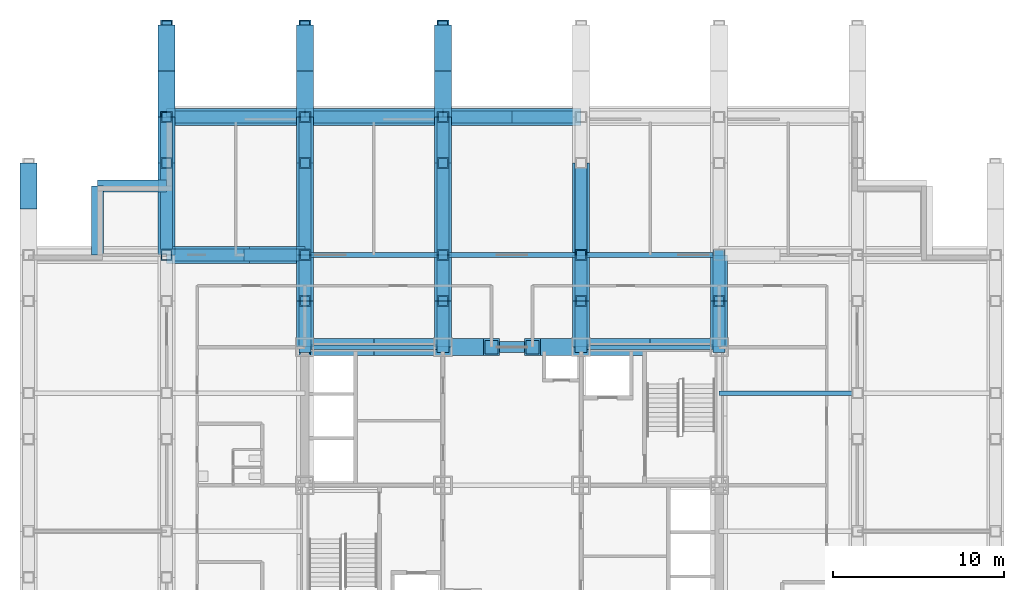
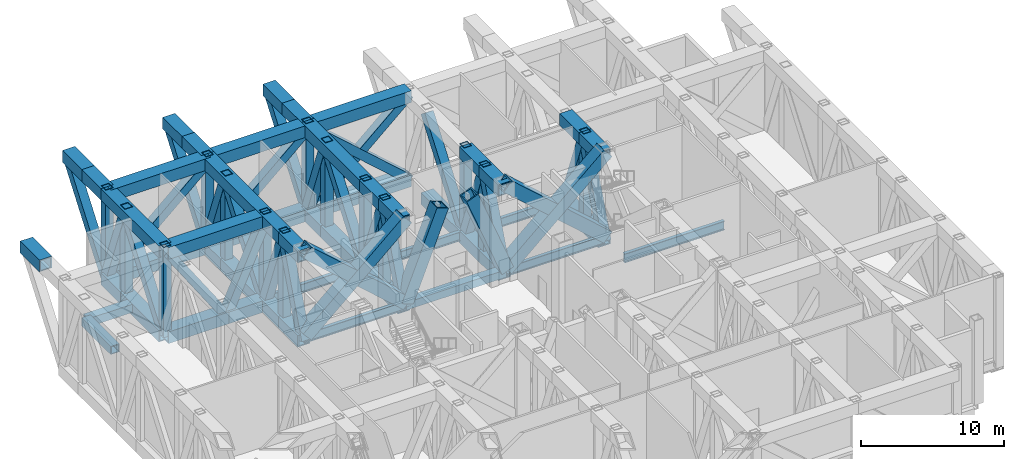
# One storey, part 5 of 13: 86 members, 9 beams.
"""IFC4 building model written with IfcOpenShell, lengths in metres."""

from ifc_helpers import new_model, si_unit, direction, frame, origin, origin_2d, place, context, subcontext, project, spatial, hollow_rectangle, i_section, extrude, material, material_profile, profile_set, type_object, element, save


model = new_model("IFC4")

# Units and contexts
model_context = context("Model", 3, precision=1e-05, world=origin(), true_north=direction((0.0, 1.0)))
body_context = subcontext(model_context, "Body", "Model", "MODEL_VIEW")
ifc_project = project(units=[si_unit("LENGTHUNIT", "METRE"), si_unit("AREAUNIT", "SQUARE_METRE"), si_unit("VOLUMEUNIT", "CUBIC_METRE"), si_unit("PLANEANGLEUNIT", "RADIAN"), si_unit("MASSUNIT", "GRAM", prefix="KILO")], contexts=[model_context])

# Site, building, storey
site_placement = place(None, origin())
site = spatial("IfcSite", under=ifc_project, at=site_placement, CompositionType="ELEMENT")
building_placement = place(site_placement, origin())
building = spatial("IfcBuilding", under=site, at=building_placement, Name="Kopane Lantern Tower", CompositionType="ELEMENT")
storey_placement = place(building_placement, frame((0.0, 0.0, 157.800048828125)))
storey = spatial("IfcBuildingStorey", under=building, at=storey_placement, Name="L41", CompositionType="ELEMENT", Elevation=157.800048828125)

# Members
ifc_material_1 = material(Name="Steel S355JR", Category="steel")
ifc_material_profile_1 = material_profile(ifc_material_1, hollow_rectangle(XDim=1.0, YDim=1.0, WallThickness=0.10009765625, at=origin_2d()), Name="BOX 1000x1000x100")
ifc_profile_set_1 = profile_set([ifc_material_profile_1], Name="Steel S355JR")
member_type_1 = type_object("IfcMemberType", Name="BRACE BOX 1000x1000x100", PredefinedType="BRACE", material=ifc_profile_set_1)
for number, where, z_axis, x_axis, name in (
    (1, (16.199951171875, 40.5, -0.25), (0.747415533118, 0.0, 0.664356847525), (0.0, 1.0, 0.0), "Core brace L41"),
    (2, (24.300048828125, 40.5, -0.25), (-0.747415533118, 0.0, 0.664356847525), (0.0, -1.0, 0.0), "Core brace L41"),
):
    element("IfcMember", number, at=place(storey_placement, frame(where, z_axis=z_axis, x_axis=x_axis)), inside=storey, type_object=member_type_1, Name=name, PredefinedType="BRACE", context=body_context, shape_type="SweptSolid", body=[
        extrude(hollow_rectangle(XDim=1.0, YDim=1.0, WallThickness=0.10009765625, at=origin_2d()), origin(), (0.0, 0.0, 1.0), 10.83740234375),
    ])
for number, where, z_axis, x_axis, name in (
    (3, (24.300048828125, 40.5, -0.25), (0.368034254187, 0.0, 0.929812232521), (0.0, 1.0, 0.0), "Core brace L41"),
    (4, (32.39990234375, 40.5, -0.25), (-0.368034254187, 0.0, 0.929812232521), (0.0, -1.0, 0.0), "Core brace L41"),
):
    element("IfcMember", number, at=place(storey_placement, frame(where, z_axis=z_axis, x_axis=x_axis)), inside=storey, type_object=member_type_1, Name=name, PredefinedType="BRACE", context=body_context, shape_type="SweptSolid", body=[
        extrude(hollow_rectangle(XDim=1.0, YDim=1.0, WallThickness=0.10009765625, at=origin_2d()), origin(), (0.0, 0.0, 1.0), 7.743408203125),
    ])
for number, where, z_axis, x_axis, name in (
    (5, (32.39990234375, 40.5, -0.25), (0.747415533118, 0.0, 0.664356847525), (0.0, 1.0, 0.0), "Core brace L41"),
    (6, (40.5, 40.5, -0.25), (-0.747415533118, 0.0, 0.664356847525), (0.0, -1.0, 0.0), "Core brace L41"),
):
    element("IfcMember", number, at=place(storey_placement, frame(where, z_axis=z_axis, x_axis=x_axis)), inside=storey, type_object=member_type_1, Name=name, PredefinedType="BRACE", context=body_context, shape_type="SweptSolid", body=[
        extrude(hollow_rectangle(XDim=1.0, YDim=1.0, WallThickness=0.10009765625, at=origin_2d()), origin(), (0.0, 0.0, 1.0), 10.83740234375),
    ])

# Beams
ifc_material_2 = material(Name="Steel S355JR", Category="steel")
ifc_material_profile_2 = material_profile(ifc_material_2, hollow_rectangle(XDim=0.699951171875, YDim=0.699951171875, WallThickness=0.06005859375, at=origin_2d()), Name="BOX 700x700x60")
ifc_profile_set_2 = profile_set([ifc_material_profile_2], Name="Steel S355JR")
beam_type_1 = type_object("IfcBeamType", Name="EDGE BEAM BOX 700x700x60", PredefinedType="BEAM", material=ifc_profile_set_2)
for number, where, z_axis, x_axis, name in (
    (7, (4.050048828125, 49.949951171875, -0.60009765625), (0.0, -1.0, 0.0), (1.0, 0.0, 0.0), "Edge Beam L41"),
    (8, (4.050048828125, 49.949951171875, -0.60009765625), (1.0, 0.0, 0.0), (0.0, 1.0, 0.0), "Edge Beam L41"),
):
    element("IfcBeam", number, at=place(storey_placement, frame(where, z_axis=z_axis, x_axis=x_axis)), inside=storey, type_object=beam_type_1, Name=name, PredefinedType="BEAM", context=body_context, shape_type="SweptSolid", body=[
        extrude(hollow_rectangle(XDim=0.699951171875, YDim=0.699951171875, WallThickness=0.06005859375, at=origin_2d()), origin(), (0.0, 0.0, 1.0), 4.050048828125),
    ])
ifc_material_3 = material(Name="Steel S355JR", Category="steel")
ifc_material_profile_3 = material_profile(ifc_material_3, i_section(OverallWidth=0.26806640625, OverallDepth=0.769775390625, WebThickness=0.015625, FlangeThickness=0.025390625, FilletRadius=0.0166015625, at=origin_2d()), Name="UB 762x267x197")
ifc_profile_set_3 = profile_set([ifc_material_profile_3], Name="Steel S355JR")
beam_type_2 = type_object("IfcBeamType", Name="GIRDER UB 762x267x197", PredefinedType="BEAM", material=ifc_profile_set_3)
for number, where, z_axis, x_axis, name in (
    (9, (16.199951171875, 40.5, -0.635009765625), (1.0, 0.0, 0.0), (0.0, 1.0, 0.0), "Girder L41"),
    (10, (16.199951171875, 45.89990234375, -0.635009765625), (1.0, 0.0, 0.0), (0.0, 1.0, 0.0), "Girder L41"),
):
    element("IfcBeam", number, at=place(storey_placement, frame(where, z_axis=z_axis, x_axis=x_axis)), inside=storey, type_object=beam_type_2, Name=name, PredefinedType="BEAM", context=body_context, shape_type="SweptSolid", body=[
        extrude(i_section(OverallWidth=0.26806640625, OverallDepth=0.769775390625, WebThickness=0.015625, FlangeThickness=0.025390625, FilletRadius=0.0166015625, at=origin_2d()), origin(), (0.0, 0.0, 1.0), 8.10009765625),
    ])
beam_1_placement = place(storey_placement, frame((24.300048828125, 45.89990234375, -0.635009765625), z_axis=(1.0, 0.0, 0.0), x_axis=(0.0, 1.0, 0.0)))
element("IfcBeam", 11, at=beam_1_placement, inside=storey, type_object=beam_type_2, Name="Girder L41", PredefinedType="BEAM", context=body_context, shape_type="SweptSolid", body=[
    extrude(i_section(OverallWidth=0.26806640625, OverallDepth=0.769775390625, WebThickness=0.015625, FlangeThickness=0.025390625, FilletRadius=0.0166015625, at=origin_2d()), origin(), (0.0, 0.0, 1.0), 8.099853515625),
])
for number, where, z_axis, x_axis, name in (
    (12, (32.39990234375, 40.5, -0.635009765625), (1.0, 0.0, 0.0), (0.0, 1.0, 0.0), "Girder L41"),
    (13, (32.39990234375, 45.89990234375, -0.635009765625), (1.0, 0.0, 0.0), (0.0, 1.0, 0.0), "Girder L41"),
    (14, (40.5, 37.800048828125, -0.635009765625), (1.0, 0.0, 0.0), (0.0, 1.0, 0.0), "Girder L41"),
):
    element("IfcBeam", number, at=place(storey_placement, frame(where, z_axis=z_axis, x_axis=x_axis)), inside=storey, type_object=beam_type_2, Name=name, PredefinedType="BEAM", context=body_context, shape_type="SweptSolid", body=[
        extrude(i_section(OverallWidth=0.26806640625, OverallDepth=0.769775390625, WebThickness=0.015625, FlangeThickness=0.025390625, FilletRadius=0.0166015625, at=origin_2d()), origin(), (0.0, 0.0, 1.0), 8.10009765625),
    ])
ifc_material_4 = material(Name="Steel S355JR", Category="steel")
ifc_material_profile_4 = material_profile(ifc_material_4, hollow_rectangle(XDim=0.64990234375, YDim=0.64990234375, WallThickness=0.070068359375, at=origin_2d()), Name="BOX 650x650x70")
ifc_profile_set_4 = profile_set([ifc_material_profile_4], Name="Steel S355JR")
beam_type_3 = type_object("IfcBeamType", Name="LINK BEAM BOX 650x650x70", PredefinedType="BEAM", material=ifc_profile_set_4)
beam_2_placement = place(storey_placement, frame((24.300048828125, 40.5, -0.574951171875), z_axis=(1.0, 0.0, 0.0), x_axis=(0.0, 1.0, 0.0)))
element("IfcBeam", 15, at=beam_2_placement, inside=storey, type_object=beam_type_3, Name="Link Beam L41", PredefinedType="BEAM", context=body_context, shape_type="SweptSolid", body=[
    extrude(hollow_rectangle(XDim=0.64990234375, YDim=0.64990234375, WallThickness=0.070068359375, at=origin_2d()), origin(), (0.0, 0.0, 1.0), 8.099853515625),
])

# Members
ifc_material_5 = material(Name="Steel S355JR", Category="steel")
ifc_material_profile_5 = material_profile(ifc_material_5, hollow_rectangle(XDim=1.0, YDim=1.0, WallThickness=0.090087890625, at=origin_2d()), Name="BOX 1000x1000x90")
ifc_profile_set_5 = profile_set([ifc_material_profile_5], Name="Steel S355JR")
member_type_2 = type_object("IfcMemberType", Name="TRUSS CHORD BOX 1000x1000x90", PredefinedType="CHORD", material=ifc_profile_set_5)
member_1_placement = place(storey_placement, frame((0.0, 48.60009765625, 6.449951171875), z_axis=(0.0, 1.0, 0.0), x_axis=(-1.0, 0.0, 0.0)))
element("IfcMember", 16, at=member_1_placement, inside=storey, type_object=member_type_2, Name="Transfer truss 2 L41 truss chord", PredefinedType="CHORD", context=body_context, shape_type="SweptSolid", body=[
    extrude(hollow_rectangle(XDim=1.0, YDim=1.0, WallThickness=0.090087890625, at=origin_2d()), origin(), (0.0, 0.0, 1.0), 2.699951171875),
])
member_2_placement = place(storey_placement, frame((8.10009765625, 45.89990234375, -0.75), z_axis=(0.0, 1.0, 0.0), x_axis=(-1.0, 0.0, 0.0)))
element("IfcMember", 17, at=member_2_placement, inside=storey, type_object=member_type_2, Name="Transfer truss 3 L41 truss chord", PredefinedType="CHORD", context=body_context, shape_type="SweptSolid", body=[
    extrude(hollow_rectangle(XDim=1.0, YDim=1.0, WallThickness=0.090087890625, at=origin_2d()), origin(), (0.0, 0.0, 1.0), 5.400146484375),
])
member_3_placement = place(storey_placement, frame((8.10009765625, 51.300048828125, -0.75), z_axis=(0.0, 1.0, 0.0), x_axis=(-1.0, 0.0, 0.0)))
element("IfcMember", 18, at=member_3_placement, inside=storey, type_object=member_type_2, Name="Transfer truss 3 L41 truss chord", PredefinedType="CHORD", context=body_context, shape_type="SweptSolid", body=[
    extrude(hollow_rectangle(XDim=1.0, YDim=1.0, WallThickness=0.090087890625, at=origin_2d()), origin(), (0.0, 0.0, 1.0), 2.699951171875),
])
member_4_placement = place(storey_placement, frame((8.10009765625, 45.89990234375, 6.449951171875), z_axis=(0.0, 1.0, 0.0), x_axis=(-1.0, 0.0, 0.0)))
element("IfcMember", 19, at=member_4_placement, inside=storey, type_object=member_type_2, Name="Transfer truss 3 L41 truss chord", PredefinedType="CHORD", context=body_context, shape_type="SweptSolid", body=[
    extrude(hollow_rectangle(XDim=1.0, YDim=1.0, WallThickness=0.090087890625, at=origin_2d()), origin(), (0.0, 0.0, 1.0), 8.10009765625),
])
for number, where, z_axis, x_axis, name in (
    (20, (8.10009765625, 54.0, 6.449951171875), (0.0, 1.0, 0.0), (-1.0, 0.0, 0.0), "Transfer truss 3 L41 truss chord"),
    (21, (8.10009765625, 56.699951171875, 6.449951171875), (0.0, 1.0, 0.0), (-1.0, 0.0, 0.0), "Transfer truss 3 L41 truss chord"),
    (22, (16.199951171875, 40.5, -0.75), (0.0, 1.0, 0.0), (-1.0, 0.0, 0.0), "Transfer truss 4 L41 truss chord"),
    (23, (16.199951171875, 43.199951171875, -0.75), (0.0, 1.0, 0.0), (-1.0, 0.0, 0.0), "Transfer truss 4 L41 truss chord"),
):
    element("IfcMember", number, at=place(storey_placement, frame(where, z_axis=z_axis, x_axis=x_axis)), inside=storey, type_object=member_type_2, Name=name, PredefinedType="CHORD", context=body_context, shape_type="SweptSolid", body=[
        extrude(hollow_rectangle(XDim=1.0, YDim=1.0, WallThickness=0.090087890625, at=origin_2d()), origin(), (0.0, 0.0, 1.0), 2.699951171875),
    ])
member_5_placement = place(storey_placement, frame((16.199951171875, 45.89990234375, -0.75), z_axis=(0.0, 1.0, 0.0), x_axis=(-1.0, 0.0, 0.0)))
element("IfcMember", 24, at=member_5_placement, inside=storey, type_object=member_type_2, Name="Transfer truss 4 L41 truss chord", PredefinedType="CHORD", context=body_context, shape_type="SweptSolid", body=[
    extrude(hollow_rectangle(XDim=1.0, YDim=1.0, WallThickness=0.090087890625, at=origin_2d()), origin(), (0.0, 0.0, 1.0), 5.400146484375),
])
for number, where, z_axis, x_axis, name in (
    (25, (16.199951171875, 51.300048828125, -0.75), (0.0, 1.0, 0.0), (-1.0, 0.0, 0.0), "Transfer truss 4 L41 truss chord"),
    (26, (16.199951171875, 40.5, 6.449951171875), (0.0, 1.0, 0.0), (-1.0, 0.0, 0.0), "Transfer truss 4 L41 truss chord"),
    (27, (16.199951171875, 43.199951171875, 6.449951171875), (0.0, 1.0, 0.0), (-1.0, 0.0, 0.0), "Transfer truss 4 L41 truss chord"),
):
    element("IfcMember", number, at=place(storey_placement, frame(where, z_axis=z_axis, x_axis=x_axis)), inside=storey, type_object=member_type_2, Name=name, PredefinedType="CHORD", context=body_context, shape_type="SweptSolid", body=[
        extrude(hollow_rectangle(XDim=1.0, YDim=1.0, WallThickness=0.090087890625, at=origin_2d()), origin(), (0.0, 0.0, 1.0), 2.699951171875),
    ])
member_6_placement = place(storey_placement, frame((16.199951171875, 45.89990234375, 6.449951171875), z_axis=(0.0, 1.0, 0.0), x_axis=(-1.0, 0.0, 0.0)))
element("IfcMember", 28, at=member_6_placement, inside=storey, type_object=member_type_2, Name="Transfer truss 4 L41 truss chord", PredefinedType="CHORD", context=body_context, shape_type="SweptSolid", body=[
    extrude(hollow_rectangle(XDim=1.0, YDim=1.0, WallThickness=0.090087890625, at=origin_2d()), origin(), (0.0, 0.0, 1.0), 8.10009765625),
])
for number, where, z_axis, x_axis, name in (
    (29, (16.199951171875, 54.0, 6.449951171875), (0.0, 1.0, 0.0), (-1.0, 0.0, 0.0), "Transfer truss 4 L41 truss chord"),
    (30, (16.199951171875, 56.699951171875, 6.449951171875), (0.0, 1.0, 0.0), (-1.0, 0.0, 0.0), "Transfer truss 4 L41 truss chord"),
    (31, (24.300048828125, 40.5, -0.75), (0.0, 1.0, 0.0), (-1.0, 0.0, 0.0), "Transfer truss 5 L41 truss chord"),
    (32, (24.300048828125, 43.199951171875, -0.75), (0.0, 1.0, 0.0), (-1.0, 0.0, 0.0), "Transfer truss 5 L41 truss chord"),
):
    element("IfcMember", number, at=place(storey_placement, frame(where, z_axis=z_axis, x_axis=x_axis)), inside=storey, type_object=member_type_2, Name=name, PredefinedType="CHORD", context=body_context, shape_type="SweptSolid", body=[
        extrude(hollow_rectangle(XDim=1.0, YDim=1.0, WallThickness=0.090087890625, at=origin_2d()), origin(), (0.0, 0.0, 1.0), 2.699951171875),
    ])
member_7_placement = place(storey_placement, frame((24.300048828125, 45.89990234375, -0.75), z_axis=(0.0, 1.0, 0.0), x_axis=(-1.0, 0.0, 0.0)))
element("IfcMember", 33, at=member_7_placement, inside=storey, type_object=member_type_2, Name="Transfer truss 5 L41 truss chord", PredefinedType="CHORD", context=body_context, shape_type="SweptSolid", body=[
    extrude(hollow_rectangle(XDim=1.0, YDim=1.0, WallThickness=0.090087890625, at=origin_2d()), origin(), (0.0, 0.0, 1.0), 5.400146484375),
])
for number, where, z_axis, x_axis, name in (
    (34, (24.300048828125, 51.300048828125, -0.75), (0.0, 1.0, 0.0), (-1.0, 0.0, 0.0), "Transfer truss 5 L41 truss chord"),
    (35, (24.300048828125, 40.5, 6.449951171875), (0.0, 1.0, 0.0), (-1.0, 0.0, 0.0), "Transfer truss 5 L41 truss chord"),
    (36, (24.300048828125, 43.199951171875, 6.449951171875), (0.0, 1.0, 0.0), (-1.0, 0.0, 0.0), "Transfer truss 5 L41 truss chord"),
):
    element("IfcMember", number, at=place(storey_placement, frame(where, z_axis=z_axis, x_axis=x_axis)), inside=storey, type_object=member_type_2, Name=name, PredefinedType="CHORD", context=body_context, shape_type="SweptSolid", body=[
        extrude(hollow_rectangle(XDim=1.0, YDim=1.0, WallThickness=0.090087890625, at=origin_2d()), origin(), (0.0, 0.0, 1.0), 2.699951171875),
    ])
member_8_placement = place(storey_placement, frame((24.300048828125, 45.89990234375, 6.449951171875), z_axis=(0.0, 1.0, 0.0), x_axis=(-1.0, 0.0, 0.0)))
element("IfcMember", 37, at=member_8_placement, inside=storey, type_object=member_type_2, Name="Transfer truss 5 L41 truss chord", PredefinedType="CHORD", context=body_context, shape_type="SweptSolid", body=[
    extrude(hollow_rectangle(XDim=1.0, YDim=1.0, WallThickness=0.090087890625, at=origin_2d()), origin(), (0.0, 0.0, 1.0), 8.10009765625),
])
for number, where, z_axis, x_axis, name in (
    (38, (24.300048828125, 54.0, 6.449951171875), (0.0, 1.0, 0.0), (-1.0, 0.0, 0.0), "Transfer truss 5 L41 truss chord"),
    (39, (24.300048828125, 56.699951171875, 6.449951171875), (0.0, 1.0, 0.0), (-1.0, 0.0, 0.0), "Transfer truss 5 L41 truss chord"),
    (40, (32.39990234375, 40.5, -0.75), (0.0, 1.0, 0.0), (-1.0, 0.0, 0.0), "Transfer truss 6 L41 truss chord"),
    (41, (32.39990234375, 43.199951171875, -0.75), (0.0, 1.0, 0.0), (-1.0, 0.0, 0.0), "Transfer truss 6 L41 truss chord"),
):
    element("IfcMember", number, at=place(storey_placement, frame(where, z_axis=z_axis, x_axis=x_axis)), inside=storey, type_object=member_type_2, Name=name, PredefinedType="CHORD", context=body_context, shape_type="SweptSolid", body=[
        extrude(hollow_rectangle(XDim=1.0, YDim=1.0, WallThickness=0.090087890625, at=origin_2d()), origin(), (0.0, 0.0, 1.0), 2.699951171875),
    ])
member_9_placement = place(storey_placement, frame((32.39990234375, 45.89990234375, -0.75), z_axis=(0.0, 1.0, 0.0), x_axis=(-1.0, 0.0, 0.0)))
element("IfcMember", 42, at=member_9_placement, inside=storey, type_object=member_type_2, Name="Transfer truss 6 L41 truss chord", PredefinedType="CHORD", context=body_context, shape_type="SweptSolid", body=[
    extrude(hollow_rectangle(XDim=1.0, YDim=1.0, WallThickness=0.090087890625, at=origin_2d()), origin(), (0.0, 0.0, 1.0), 5.400146484375),
])
for number, where, z_axis, x_axis, name in (
    (43, (32.39990234375, 40.5, 6.449951171875), (0.0, 1.0, 0.0), (-1.0, 0.0, 0.0), "Transfer truss 6 L41 truss chord"),
    (44, (32.39990234375, 43.199951171875, 6.449951171875), (0.0, 1.0, 0.0), (-1.0, 0.0, 0.0), "Transfer truss 6 L41 truss chord"),
    (45, (40.5, 40.5, -0.75), (0.0, 1.0, 0.0), (-1.0, 0.0, 0.0), "Transfer truss 7 L41 truss chord"),
    (46, (40.5, 43.199951171875, -0.75), (0.0, 1.0, 0.0), (-1.0, 0.0, 0.0), "Transfer truss 7 L41 truss chord"),
    (47, (40.5, 40.5, 6.449951171875), (0.0, 1.0, 0.0), (-1.0, 0.0, 0.0), "Transfer truss 7 L41 truss chord"),
    (48, (40.5, 43.199951171875, 6.449951171875), (0.0, 1.0, 0.0), (-1.0, 0.0, 0.0), "Transfer truss 7 L41 truss chord"),
):
    element("IfcMember", number, at=place(storey_placement, frame(where, z_axis=z_axis, x_axis=x_axis)), inside=storey, type_object=member_type_2, Name=name, PredefinedType="CHORD", context=body_context, shape_type="SweptSolid", body=[
        extrude(hollow_rectangle(XDim=1.0, YDim=1.0, WallThickness=0.090087890625, at=origin_2d()), origin(), (0.0, 0.0, 1.0), 2.699951171875),
    ])
for number, where, z_axis, x_axis, name in (
    (49, (8.10009765625, 54.0, -0.75), (1.0, 0.0, 0.0), (0.0, 1.0, 0.0), "Belt truss N L41 truss chord"),
    (50, (8.10009765625, 54.0, 6.449951171875), (1.0, 0.0, 0.0), (0.0, 1.0, 0.0), "Belt truss N L41 truss chord"),
):
    element("IfcMember", number, at=place(storey_placement, frame(where, z_axis=z_axis, x_axis=x_axis)), inside=storey, type_object=member_type_2, Name=name, PredefinedType="CHORD", context=body_context, shape_type="SweptSolid", body=[
        extrude(hollow_rectangle(XDim=1.0, YDim=1.0, WallThickness=0.090087890625, at=origin_2d()), origin(), (0.0, 0.0, 1.0), 8.099853515625),
    ])
for number, where, z_axis, x_axis, name in (
    (51, (16.199951171875, 54.0, -0.75), (1.0, 0.0, 0.0), (0.0, 1.0, 0.0), "Belt truss N L41 truss chord"),
    (52, (16.199951171875, 54.0, 6.449951171875), (1.0, 0.0, 0.0), (0.0, 1.0, 0.0), "Belt truss N L41 truss chord"),
):
    element("IfcMember", number, at=place(storey_placement, frame(where, z_axis=z_axis, x_axis=x_axis)), inside=storey, type_object=member_type_2, Name=name, PredefinedType="CHORD", context=body_context, shape_type="SweptSolid", body=[
        extrude(hollow_rectangle(XDim=1.0, YDim=1.0, WallThickness=0.090087890625, at=origin_2d()), origin(), (0.0, 0.0, 1.0), 8.10009765625),
    ])
for number, where, z_axis, x_axis, name in (
    (53, (24.300048828125, 54.0, -0.75), (1.0, 0.0, 0.0), (0.0, 1.0, 0.0), "Belt truss N L41 truss chord"),
    (54, (24.300048828125, 54.0, 6.449951171875), (1.0, 0.0, 0.0), (0.0, 1.0, 0.0), "Belt truss N L41 truss chord"),
):
    element("IfcMember", number, at=place(storey_placement, frame(where, z_axis=z_axis, x_axis=x_axis)), inside=storey, type_object=member_type_2, Name=name, PredefinedType="CHORD", context=body_context, shape_type="SweptSolid", body=[
        extrude(hollow_rectangle(XDim=1.0, YDim=1.0, WallThickness=0.090087890625, at=origin_2d()), origin(), (0.0, 0.0, 1.0), 8.099853515625),
    ])
member_10_placement = place(storey_placement, frame((8.10009765625, 45.89990234375, -0.75), z_axis=(1.0, 0.0, 0.0), x_axis=(0.0, 1.0, 0.0)))
element("IfcMember", 55, at=member_10_placement, inside=storey, type_object=member_type_2, Name="Outrigger truss W45.9 L41 truss chord", PredefinedType="CHORD", context=body_context, shape_type="SweptSolid", body=[
    extrude(hollow_rectangle(XDim=1.0, YDim=1.0, WallThickness=0.090087890625, at=origin_2d()), origin(), (0.0, 0.0, 1.0), 4.85986328125),
])
member_11_placement = place(storey_placement, frame((12.9599609375, 45.89990234375, -0.75), z_axis=(1.0, 0.0, 0.0), x_axis=(0.0, 1.0, 0.0)))
element("IfcMember", 56, at=member_11_placement, inside=storey, type_object=member_type_2, Name="Outrigger truss W45.9 L41 truss chord", PredefinedType="CHORD", context=body_context, shape_type="SweptSolid", body=[
    extrude(hollow_rectangle(XDim=1.0, YDim=1.0, WallThickness=0.090087890625, at=origin_2d()), origin(), (0.0, 0.0, 1.0), 3.239990234375),
])
member_12_placement = place(storey_placement, frame((8.10009765625, 45.89990234375, 6.449951171875), z_axis=(1.0, 0.0, 0.0), x_axis=(0.0, 1.0, 0.0)))
element("IfcMember", 57, at=member_12_placement, inside=storey, type_object=member_type_2, Name="Outrigger truss W45.9 L41 truss chord", PredefinedType="CHORD", context=body_context, shape_type="SweptSolid", body=[
    extrude(hollow_rectangle(XDim=1.0, YDim=1.0, WallThickness=0.090087890625, at=origin_2d()), origin(), (0.0, 0.0, 1.0), 8.099853515625),
])
ifc_material_6 = material(Name="Steel S355JR", Category="steel")
ifc_material_profile_6 = material_profile(ifc_material_6, hollow_rectangle(XDim=0.699951171875, YDim=0.699951171875, WallThickness=0.070068359375, at=origin_2d()), Name="BOX 700x700x70")
ifc_profile_set_6 = profile_set([ifc_material_profile_6], Name="Steel S355JR")
member_type_3 = type_object("IfcMemberType", Name="TRUSS DIAGONAL BOX 700x700x70", PredefinedType="BRACE", material=ifc_profile_set_6)
member_13_placement = place(storey_placement, frame((8.10009765625, 45.89990234375, -0.75), z_axis=(0.0, 0.600013020683, 0.799990234322), x_axis=(-1.0, 0.0, 0.0)))
element("IfcMember", 58, at=member_13_placement, inside=storey, type_object=member_type_3, Name="Transfer truss 3 L41 truss diagonal", PredefinedType="BRACE", context=body_context, shape_type="SweptSolid", body=[
    extrude(hollow_rectangle(XDim=0.699951171875, YDim=0.699951171875, WallThickness=0.070068359375, at=origin_2d()), origin(), (0.0, 0.0, 1.0), 9.0),
])
member_14_placement = place(storey_placement, frame((8.10009765625, 54.0, -0.75), z_axis=(0.0, -0.351119962166, 0.936330482345), x_axis=(1.0, 0.0, 0.0)))
element("IfcMember", 59, at=member_14_placement, inside=storey, type_object=member_type_3, Name="Transfer truss 3 L41 truss diagonal", PredefinedType="BRACE", context=body_context, shape_type="SweptSolid", body=[
    extrude(hollow_rectangle(XDim=0.699951171875, YDim=0.699951171875, WallThickness=0.070068359375, at=origin_2d()), origin(), (0.0, 0.0, 1.0), 7.689453125),
])
member_15_placement = place(storey_placement, frame((8.10009765625, 54.0, -0.75), z_axis=(0.0, 0.599995659666, 0.800003255232), x_axis=(-1.0, 0.0, 0.0)))
element("IfcMember", 60, at=member_15_placement, inside=storey, type_object=member_type_3, Name="Transfer truss 3 L41 truss diagonal", PredefinedType="BRACE", context=body_context, shape_type="SweptSolid", body=[
    extrude(hollow_rectangle(XDim=0.699951171875, YDim=0.699951171875, WallThickness=0.070068359375, at=origin_2d()), origin(), (0.0, 0.0, 1.0), 9.0),
])
for number, where, z_axis, x_axis, name in (
    (61, (16.199951171875, 40.5, -0.75), (0.0, 0.351119962166, 0.936330482345), (-1.0, 0.0, 0.0), "Transfer truss 4 L41 truss diagonal"),
    (62, (16.199951171875, 45.89990234375, -0.75), (0.0, -0.351119962166, 0.936330482345), (1.0, 0.0, 0.0), "Transfer truss 4 L41 truss diagonal"),
):
    element("IfcMember", number, at=place(storey_placement, frame(where, z_axis=z_axis, x_axis=x_axis)), inside=storey, type_object=member_type_3, Name=name, PredefinedType="BRACE", context=body_context, shape_type="SweptSolid", body=[
        extrude(hollow_rectangle(XDim=0.699951171875, YDim=0.699951171875, WallThickness=0.070068359375, at=origin_2d()), origin(), (0.0, 0.0, 1.0), 7.689453125),
    ])
member_16_placement = place(storey_placement, frame((16.199951171875, 45.89990234375, -0.75), z_axis=(0.0, 0.600013020683, 0.799990234322), x_axis=(-1.0, 0.0, 0.0)))
element("IfcMember", 63, at=member_16_placement, inside=storey, type_object=member_type_3, Name="Transfer truss 4 L41 truss diagonal", PredefinedType="BRACE", context=body_context, shape_type="SweptSolid", body=[
    extrude(hollow_rectangle(XDim=0.699951171875, YDim=0.699951171875, WallThickness=0.070068359375, at=origin_2d()), origin(), (0.0, 0.0, 1.0), 9.0),
])
member_17_placement = place(storey_placement, frame((16.199951171875, 54.0, -0.75), z_axis=(0.0, -0.351119962166, 0.936330482345), x_axis=(1.0, 0.0, 0.0)))
element("IfcMember", 64, at=member_17_placement, inside=storey, type_object=member_type_3, Name="Transfer truss 4 L41 truss diagonal", PredefinedType="BRACE", context=body_context, shape_type="SweptSolid", body=[
    extrude(hollow_rectangle(XDim=0.699951171875, YDim=0.699951171875, WallThickness=0.070068359375, at=origin_2d()), origin(), (0.0, 0.0, 1.0), 7.689453125),
])
member_18_placement = place(storey_placement, frame((16.199951171875, 54.0, -0.75), z_axis=(0.0, 0.599995659666, 0.800003255232), x_axis=(-1.0, 0.0, 0.0)))
element("IfcMember", 65, at=member_18_placement, inside=storey, type_object=member_type_3, Name="Transfer truss 4 L41 truss diagonal", PredefinedType="BRACE", context=body_context, shape_type="SweptSolid", body=[
    extrude(hollow_rectangle(XDim=0.699951171875, YDim=0.699951171875, WallThickness=0.070068359375, at=origin_2d()), origin(), (0.0, 0.0, 1.0), 9.0),
])
for number, where, z_axis, x_axis, name in (
    (66, (24.300048828125, 40.5, -0.75), (0.0, 0.351119962166, 0.936330482345), (-1.0, 0.0, 0.0), "Transfer truss 5 L41 truss diagonal"),
    (67, (24.300048828125, 45.89990234375, -0.75), (0.0, -0.351119962166, 0.936330482345), (1.0, 0.0, 0.0), "Transfer truss 5 L41 truss diagonal"),
):
    element("IfcMember", number, at=place(storey_placement, frame(where, z_axis=z_axis, x_axis=x_axis)), inside=storey, type_object=member_type_3, Name=name, PredefinedType="BRACE", context=body_context, shape_type="SweptSolid", body=[
        extrude(hollow_rectangle(XDim=0.699951171875, YDim=0.699951171875, WallThickness=0.070068359375, at=origin_2d()), origin(), (0.0, 0.0, 1.0), 7.689453125),
    ])
member_19_placement = place(storey_placement, frame((24.300048828125, 45.89990234375, -0.75), z_axis=(0.0, 0.600013020683, 0.799990234322), x_axis=(-1.0, 0.0, 0.0)))
element("IfcMember", 68, at=member_19_placement, inside=storey, type_object=member_type_3, Name="Transfer truss 5 L41 truss diagonal", PredefinedType="BRACE", context=body_context, shape_type="SweptSolid", body=[
    extrude(hollow_rectangle(XDim=0.699951171875, YDim=0.699951171875, WallThickness=0.070068359375, at=origin_2d()), origin(), (0.0, 0.0, 1.0), 9.0),
])
member_20_placement = place(storey_placement, frame((24.300048828125, 54.0, -0.75), z_axis=(0.0, -0.351119962166, 0.936330482345), x_axis=(1.0, 0.0, 0.0)))
element("IfcMember", 69, at=member_20_placement, inside=storey, type_object=member_type_3, Name="Transfer truss 5 L41 truss diagonal", PredefinedType="BRACE", context=body_context, shape_type="SweptSolid", body=[
    extrude(hollow_rectangle(XDim=0.699951171875, YDim=0.699951171875, WallThickness=0.070068359375, at=origin_2d()), origin(), (0.0, 0.0, 1.0), 7.689453125),
])
member_21_placement = place(storey_placement, frame((24.300048828125, 54.0, -0.75), z_axis=(0.0, 0.599995659666, 0.800003255232), x_axis=(-1.0, 0.0, 0.0)))
element("IfcMember", 70, at=member_21_placement, inside=storey, type_object=member_type_3, Name="Transfer truss 5 L41 truss diagonal", PredefinedType="BRACE", context=body_context, shape_type="SweptSolid", body=[
    extrude(hollow_rectangle(XDim=0.699951171875, YDim=0.699951171875, WallThickness=0.070068359375, at=origin_2d()), origin(), (0.0, 0.0, 1.0), 9.0),
])
for number, where, z_axis, x_axis, name in (
    (71, (32.39990234375, 40.5, -0.75), (0.0, 0.351119962166, 0.936330482345), (-1.0, 0.0, 0.0), "Transfer truss 6 L41 truss diagonal"),
    (72, (32.39990234375, 45.89990234375, -0.75), (0.0, -0.351119962166, 0.936330482345), (1.0, 0.0, 0.0), "Transfer truss 6 L41 truss diagonal"),
):
    element("IfcMember", number, at=place(storey_placement, frame(where, z_axis=z_axis, x_axis=x_axis)), inside=storey, type_object=member_type_3, Name=name, PredefinedType="BRACE", context=body_context, shape_type="SweptSolid", body=[
        extrude(hollow_rectangle(XDim=0.699951171875, YDim=0.699951171875, WallThickness=0.070068359375, at=origin_2d()), origin(), (0.0, 0.0, 1.0), 7.689453125),
    ])
member_22_placement = place(storey_placement, frame((32.39990234375, 45.89990234375, -0.75), z_axis=(0.0, 0.600013020683, 0.799990234322), x_axis=(-1.0, 0.0, 0.0)))
element("IfcMember", 73, at=member_22_placement, inside=storey, type_object=member_type_3, Name="Transfer truss 6 L41 truss diagonal", PredefinedType="BRACE", context=body_context, shape_type="SweptSolid", body=[
    extrude(hollow_rectangle(XDim=0.699951171875, YDim=0.699951171875, WallThickness=0.070068359375, at=origin_2d()), origin(), (0.0, 0.0, 1.0), 9.0),
])
for number, where, z_axis, x_axis, name in (
    (74, (40.5, 40.5, -0.75), (0.0, 0.351119962166, 0.936330482345), (-1.0, 0.0, 0.0), "Transfer truss 7 L41 truss diagonal"),
    (75, (40.5, 45.89990234375, -0.75), (0.0, -0.351119962166, 0.936330482345), (1.0, 0.0, 0.0), "Transfer truss 7 L41 truss diagonal"),
):
    element("IfcMember", number, at=place(storey_placement, frame(where, z_axis=z_axis, x_axis=x_axis)), inside=storey, type_object=member_type_3, Name=name, PredefinedType="BRACE", context=body_context, shape_type="SweptSolid", body=[
        extrude(hollow_rectangle(XDim=0.699951171875, YDim=0.699951171875, WallThickness=0.070068359375, at=origin_2d()), origin(), (0.0, 0.0, 1.0), 7.689453125),
    ])
for number, where, z_axis, x_axis, name in (
    (76, (8.10009765625, 54.0, -0.75), (0.747405589929, 0.0, 0.664368033655), (0.0, 1.0, 0.0), "Belt truss N L41 truss diagonal"),
    (77, (16.199951171875, 54.0, -0.75), (0.747415533118, 0.0, 0.664356847525), (0.0, 1.0, 0.0), "Belt truss N L41 truss diagonal"),
    (78, (24.300048828125, 54.0, -0.75), (0.747405589929, 0.0, 0.664368033655), (0.0, 1.0, 0.0), "Belt truss N L41 truss diagonal"),
    (79, (32.39990234375, 54.0, -0.75), (-0.747405589929, 0.0, 0.664368033655), (0.0, -1.0, 0.0), "Belt truss N L41 truss diagonal"),
):
    element("IfcMember", number, at=place(storey_placement, frame(where, z_axis=z_axis, x_axis=x_axis)), inside=storey, type_object=member_type_3, Name=name, PredefinedType="BRACE", context=body_context, shape_type="SweptSolid", body=[
        extrude(hollow_rectangle(XDim=0.699951171875, YDim=0.699951171875, WallThickness=0.070068359375, at=origin_2d()), origin(), (0.0, 0.0, 1.0), 10.83740234375),
    ])
member_23_placement = place(storey_placement, frame((8.10009765625, 45.89990234375, 6.449951171875), z_axis=(0.559464649039, 0.0, -0.828854213041), x_axis=(0.0, 1.0, 0.0)))
element("IfcMember", 80, at=member_23_placement, inside=storey, type_object=member_type_3, Name="Outrigger truss W45.9 L41 truss diagonal", PredefinedType="BRACE", context=body_context, shape_type="SweptSolid", body=[
    extrude(hollow_rectangle(XDim=0.699951171875, YDim=0.699951171875, WallThickness=0.070068359375, at=origin_2d()), origin(), (0.0, 0.0, 1.0), 8.6865234375),
])
member_24_placement = place(storey_placement, frame((16.199951171875, 45.89990234375, 6.449951171875), z_axis=(-0.410365963067, 0.0, -0.911920926592), x_axis=(0.0, -1.0, 0.0)))
element("IfcMember", 81, at=member_24_placement, inside=storey, type_object=member_type_3, Name="Outrigger truss W45.9 L41 truss diagonal", PredefinedType="BRACE", context=body_context, shape_type="SweptSolid", body=[
    extrude(hollow_rectangle(XDim=0.699951171875, YDim=0.699951171875, WallThickness=0.070068359375, at=origin_2d()), origin(), (0.0, 0.0, 1.0), 7.895263671875),
])
ifc_material_7 = material(Name="Steel S355JR", Category="steel")
ifc_material_profile_7 = material_profile(ifc_material_7, hollow_rectangle(XDim=0.64990234375, YDim=0.64990234375, WallThickness=0.06005859375, at=origin_2d()), Name="BOX 650x650x60")
ifc_profile_set_7 = profile_set([ifc_material_profile_7], Name="Steel S355JR")
member_type_4 = type_object("IfcMemberType", Name="TRUSS POST BOX 650x650x60", PredefinedType="POST", material=ifc_profile_set_7)
for number, where, z_axis, x_axis, name in (
    (82, (8.10009765625, 45.89990234375, -0.75), (0.0, 0.0, 1.0), (1.0, 0.0, 0.0), "Transfer truss 3 L41 truss post"),
    (83, (8.10009765625, 51.300048828125, -0.75), (0.0, 0.0, 1.0), (1.0, 0.0, 0.0), "Transfer truss 3 L41 truss post"),
    (84, (8.10009765625, 54.0, -0.75), (0.0, 0.0, 1.0), (1.0, 0.0, 0.0), "Transfer truss 3 L41 truss post"),
    (85, (16.199951171875, 43.199951171875, -0.75), (0.0, 0.0, 1.0), (1.0, 0.0, 0.0), "Transfer truss 4 L41 truss post"),
    (86, (16.199951171875, 45.89990234375, -0.75), (0.0, 0.0, 1.0), (1.0, 0.0, 0.0), "Transfer truss 4 L41 truss post"),
    (87, (16.199951171875, 51.300048828125, -0.75), (0.0, 0.0, 1.0), (1.0, 0.0, 0.0), "Transfer truss 4 L41 truss post"),
    (88, (16.199951171875, 54.0, -0.75), (0.0, 0.0, 1.0), (1.0, 0.0, 0.0), "Transfer truss 4 L41 truss post"),
    (89, (24.300048828125, 43.199951171875, -0.75), (0.0, 0.0, 1.0), (1.0, 0.0, 0.0), "Transfer truss 5 L41 truss post"),
    (90, (24.300048828125, 45.89990234375, -0.75), (0.0, 0.0, 1.0), (1.0, 0.0, 0.0), "Transfer truss 5 L41 truss post"),
    (91, (24.300048828125, 51.300048828125, -0.75), (0.0, 0.0, 1.0), (1.0, 0.0, 0.0), "Transfer truss 5 L41 truss post"),
    (92, (24.300048828125, 54.0, -0.75), (0.0, 0.0, 1.0), (1.0, 0.0, 0.0), "Transfer truss 5 L41 truss post"),
    (93, (32.39990234375, 43.199951171875, -0.75), (0.0, 0.0, 1.0), (1.0, 0.0, 0.0), "Transfer truss 6 L41 truss post"),
    (94, (32.39990234375, 45.89990234375, -0.75), (0.0, 0.0, 1.0), (1.0, 0.0, 0.0), "Transfer truss 6 L41 truss post"),
    (95, (40.5, 43.199951171875, -0.75), (0.0, 0.0, 1.0), (1.0, 0.0, 0.0), "Transfer truss 7 L41 truss post"),
):
    element("IfcMember", number, at=place(storey_placement, frame(where, z_axis=z_axis, x_axis=x_axis)), inside=storey, type_object=member_type_4, Name=name, PredefinedType="POST", context=body_context, shape_type="SweptSolid", body=[
        extrude(hollow_rectangle(XDim=0.64990234375, YDim=0.64990234375, WallThickness=0.06005859375, at=origin_2d()), origin(), (0.0, 0.0, 1.0), 7.699951171875),
    ])

save(model, "model.ifc")
